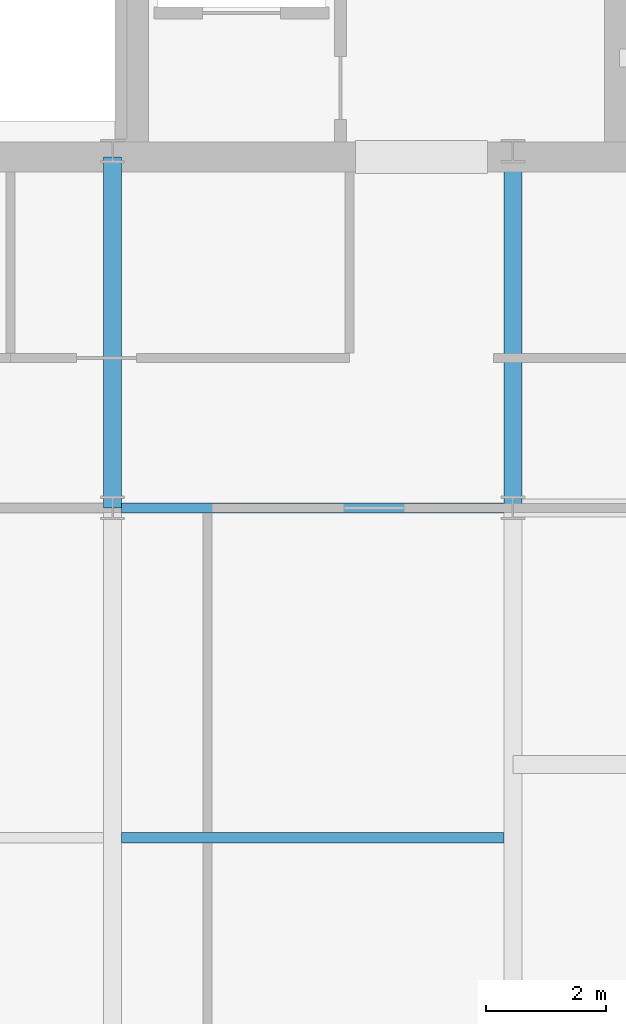
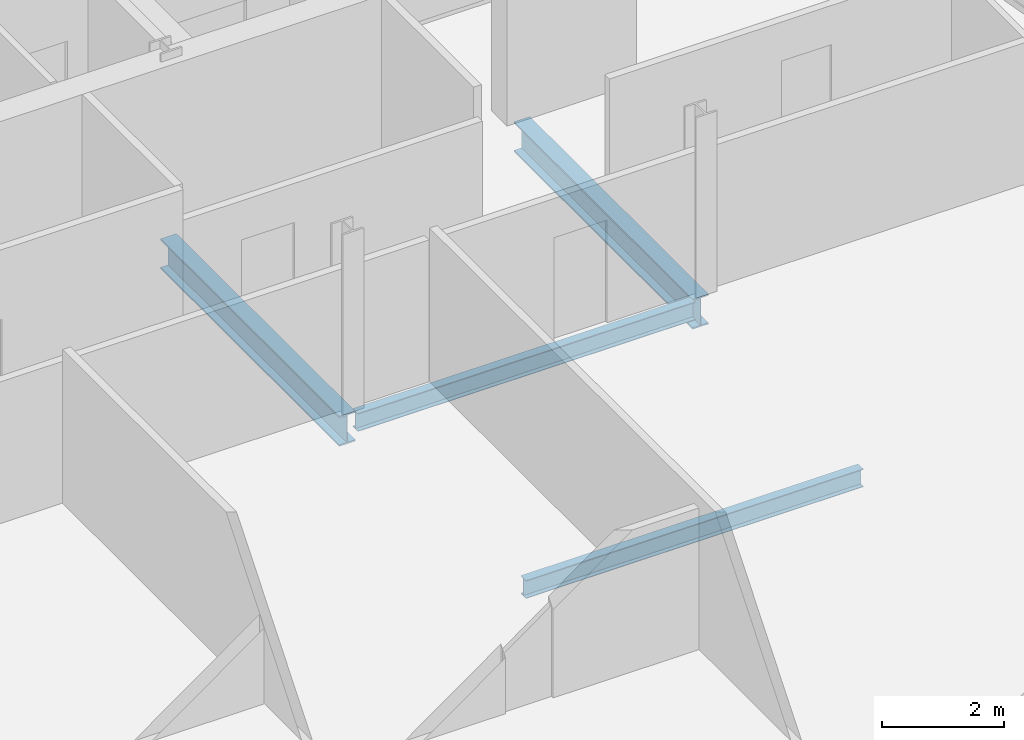
# One storey, part 17 of 29: 4 beams.
"""IFC4 building model written with IfcOpenShell, lengths in metres."""

from ifc_helpers import new_model, si_unit, direction, frame, origin, origin_2d, place, context, subcontext, project, spatial, i_section, extrude, material, material_profile, profile_set, type_object, element, save


model = new_model("IFC4")

# Units and contexts
model_context = context("Model", 3, precision=1e-05, world=origin(), true_north=direction((0.0, 1.0)))
body_context = subcontext(model_context, "Body", "Model", "MODEL_VIEW")
ifc_project = project(units=[si_unit("LENGTHUNIT", "METRE"), si_unit("AREAUNIT", "SQUARE_METRE"), si_unit("VOLUMEUNIT", "CUBIC_METRE"), si_unit("PLANEANGLEUNIT", "RADIAN"), si_unit("MASSUNIT", "GRAM", prefix="KILO")], contexts=[model_context])

# Site, building, storey
site_placement = place(None, origin())
site = spatial("IfcSite", under=ifc_project, at=site_placement, CompositionType="ELEMENT")
building_placement = place(site_placement, origin())
building = spatial("IfcBuilding", under=site, at=building_placement, Name="Khoronbel Lancet Exchange", CompositionType="ELEMENT")
storey_placement = place(building_placement, frame((0.0, 0.0, 318.199951171875)))
storey = spatial("IfcBuildingStorey", under=building, at=storey_placement, Name="L82", CompositionType="ELEMENT", Elevation=318.199951171875)

# Beams
ifc_material = material(Name="Steel S355", Category="steel")
ifc_material_profile_1 = material_profile(ifc_material, i_section(OverallWidth=0.300048828125, OverallDepth=0.60009765625, WebThickness=0.015380859375, FlangeThickness=0.030029296875, at=origin_2d()), Name="HEB 600")
ifc_profile_set_1 = profile_set([ifc_material_profile_1], Name="Steel S355")
beam_type_1 = type_object("IfcBeamType", Name="BM-BG5", PredefinedType="BEAM", material=ifc_profile_set_1)
for number, where, z_axis, x_axis, name in (
    (1, (48.0, 35.699951171875, -0.4599609375), (0.0, 1.0, 0.0), (-1.0, 0.0, 0.0), "Level L82 spine tie girder GN5"),
    (2, (54.675048828125, 35.699951171875, -0.4599609375), (0.0, 1.0, 0.0), (-1.0, 0.0, 0.0), "Level L82 spine tie girder GN6"),
):
    element("IfcBeam", number, at=place(storey_placement, frame(where, z_axis=z_axis, x_axis=x_axis)), inside=storey, type_object=beam_type_1, Name=name, PredefinedType="BEAM", context=body_context, shape_type="SweptSolid", body=[
        extrude(i_section(OverallWidth=0.300048828125, OverallDepth=0.60009765625, WebThickness=0.015380859375, FlangeThickness=0.030029296875, at=origin_2d()), origin(), (0.0, 0.0, 1.0), 5.85009765625),
    ])
ifc_material_profile_2 = material_profile(ifc_material, i_section(OverallWidth=0.169921875, OverallDepth=0.360107421875, WebThickness=0.008056640625, FlangeThickness=0.0126953125, at=origin_2d()), Name="IPE 360")
ifc_profile_set_2 = profile_set([ifc_material_profile_2], Name="Steel S355")
beam_type_2 = type_object("IfcBeamType", Name="BM-BJ6", PredefinedType="JOIST", material=ifc_profile_set_2)
for number, where, z_axis, x_axis, name in (
    (3, (48.14990234375, 30.199951171875, -0.33984375), (1.0, 0.0, 0.0), (0.0, 1.0, 0.0), "Level L82 secondary composite joist J09"),
    (4, (48.14990234375, 35.699951171875, -0.33984375), (1.0, 0.0, 0.0), (0.0, 1.0, 0.0), "Level L82 secondary composite joist J12"),
):
    element("IfcBeam", number, at=place(storey_placement, frame(where, z_axis=z_axis, x_axis=x_axis)), inside=storey, type_object=beam_type_2, Name=name, PredefinedType="JOIST", context=body_context, shape_type="SweptSolid", body=[
        extrude(i_section(OverallWidth=0.169921875, OverallDepth=0.360107421875, WebThickness=0.008056640625, FlangeThickness=0.0126953125, at=origin_2d()), origin(), (0.0, 0.0, 1.0), 6.375),
    ])

save(model, "model.ifc")
